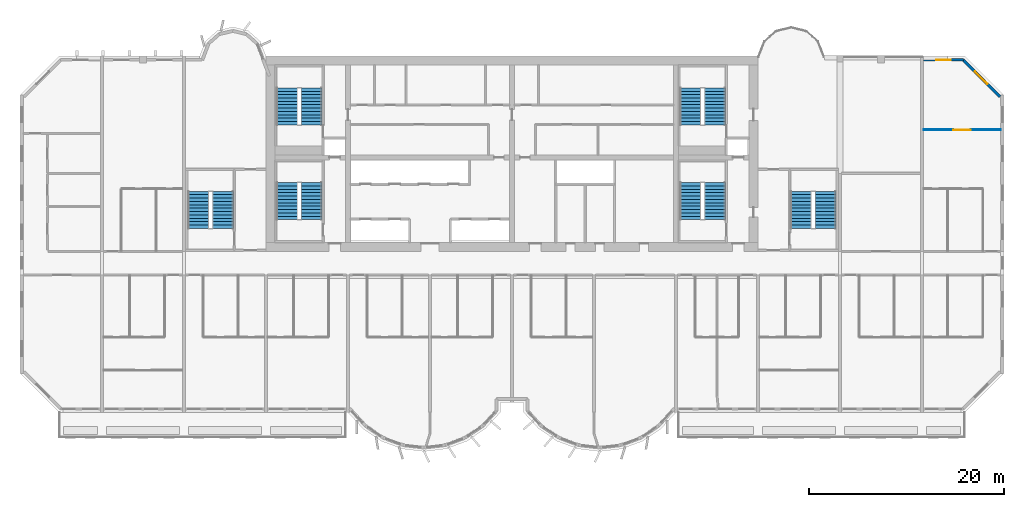
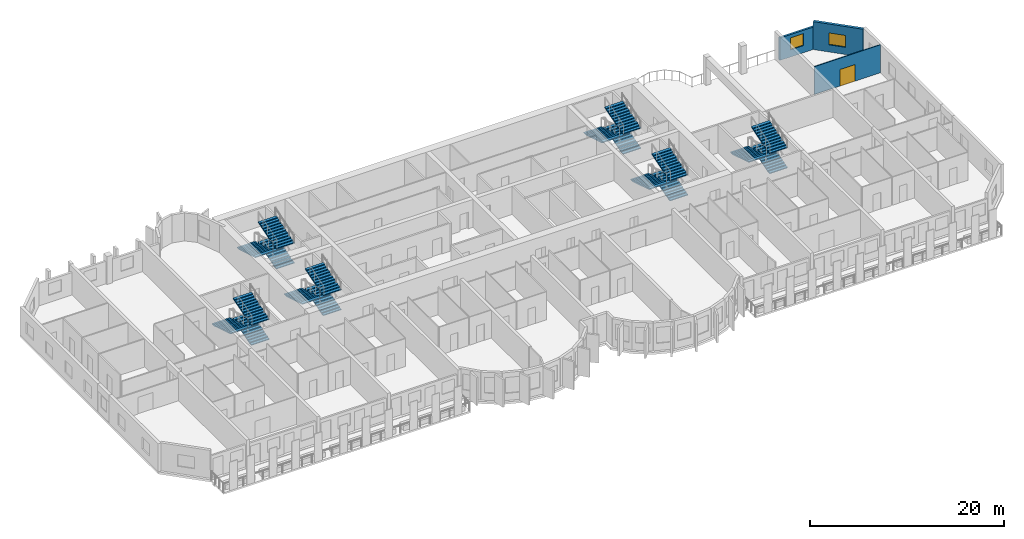
# One storey, part 11 of 14: 18 stair flights, 3 walls, 2 windows, 1 door, 3 openings, 6 elements without a shape of their own.
"""IFC4 building model written with IfcOpenShell, lengths in metres."""

from ifc_helpers import new_model, si_unit, direction, frame, frame_2d, origin, place, context, subcontext, project, spatial, polyline, rectangle, outline, extrude, source, transform, mapped, material, layer, layer_set, type_object, element, fill, aggregate, save


model = new_model("IFC4")

# Units and contexts
model_context = context("Model", 3, precision=1e-05, world=origin(), true_north=direction((0.0, 1.0)))
body_context = subcontext(model_context, "Body", "Model", "MODEL_VIEW")
ifc_project = project(units=[si_unit("LENGTHUNIT", "METRE"), si_unit("AREAUNIT", "SQUARE_METRE"), si_unit("VOLUMEUNIT", "CUBIC_METRE"), si_unit("PLANEANGLEUNIT", "RADIAN"), si_unit("MASSUNIT", "GRAM", prefix="KILO")], contexts=[model_context])

# Site, building, storey
site_placement = place(None, origin())
site = spatial("IfcSite", under=ifc_project, at=site_placement, CompositionType="ELEMENT")
building_placement = place(site_placement, origin())
building = spatial("IfcBuilding", under=site, at=building_placement, Name="Vanashikhar Sky Hotel", CompositionType="ELEMENT")
storey_placement = place(building_placement, frame((0.0, 0.0, 121.800048828125)))
storey = spatial("IfcBuildingStorey", under=building, at=storey_placement, Name="L29", CompositionType="ELEMENT", Elevation=121.800048828125)

# Wall, opening, window
ifc_material_1 = material(Name="Concrete M50", Category="concrete")
ifc_layer_1 = layer(ifc_material_1, 0.300048828125)
ifc_layer_set_1 = layer_set([ifc_layer_1], Name="Lobe wall 300")
wall_type_1 = type_object("IfcWallType", Name="Lobe wall 300", PredefinedType="SOLIDWALL", material=ifc_layer_set_1)
shared_shape_1 = source(origin(), body_context, "Body", "SweptSolid", [
    extrude(rectangle(XDim=5.32568359375, YDim=0.300048828125, at=frame_2d((2.662841796875, 0.0))), origin(), (0.0, 0.0, 1.0), 3.52001953125),
])
wall_1_placement = place(storey_placement, frame((100.39990234375, 37.834228515625, 0.0), z_axis=(0.0, 0.0, 1.0), x_axis=(-0.707083859269, 0.707129702361, 0.0)))
wall_1 = element("IfcWall", 1, at=wall_1_placement, inside=storey, type_object=wall_type_1, Name="Corner wall", PredefinedType="SOLIDWALL", context=body_context, shape_type="MappedRepresentation", body=[
    mapped(shared_shape_1, transform((0.0, 0.0, 0.0), scale=1.0)),
])
shared_shape_2 = source(origin(), body_context, "Body", "SweptSolid", [
    extrude(rectangle(XDim=1.800048828125, YDim=1.5, at=frame_2d((0.89990234375, 0.75))), frame((0.0, 0.16015625, 0.0), z_axis=(0.0, -1.0, 0.0), x_axis=(1.0, 0.0, 0.0)), (0.0, 0.0, 1.0), 0.320068359375),
])
opening_1_placement = place(wall_1_placement, frame((1.853759765625, 0.0, 0.89990234375)))
opening_1 = element("IfcOpeningElement", 2, at=opening_1_placement, cuts=wall_1, Name="Opening WN-4", PredefinedType="OPENING", context=body_context, shape_type="MappedRepresentation", body=[
    mapped(shared_shape_2, transform((0.0, 0.0, 0.0), scale=1.0)),
])
ifc_material_2 = material(Name="Glass", Category="glass")
window_type_1 = type_object("IfcWindowType", Name="Corner window 1800 x 1500", PartitioningType="SINGLE_PANEL", PredefinedType="WINDOW", material=ifc_material_2)
shared_shape_3 = source(origin(), body_context, "Body", "SweptSolid", [
    extrude(rectangle(XDim=1.800048828125, YDim=1.5, at=frame_2d((0.89990234375, 0.75))), frame((0.0, 0.030029296875, 0.0), z_axis=(0.0, -1.0, 0.0), x_axis=(1.0, 0.0, 0.0)), (0.0, 0.0, 1.0), 0.06005859375),
])
window_1_placement = place(opening_1_placement, origin())
window_1 = element("IfcWindow", 3, at=window_1_placement, inside=storey, type_object=window_type_1, Name="Window WN-4", OverallHeight=1.5, OverallWidth=1.800048828125, PartitioningType="SINGLE_PANEL", PredefinedType="WINDOW", context=body_context, shape_type="MappedRepresentation", body=[
    mapped(shared_shape_3, transform((0.0, 0.0, 0.0), scale=1.0)),
])
fill(opening_1, window_1)

ifc_layer_2 = layer(ifc_material_1, 0.25)
ifc_layer_set_2 = layer_set([ifc_layer_2], Name="Rear and end board-marked wall 250")
wall_type_2 = type_object("IfcWallType", Name="Rear and end board-marked wall 250", PredefinedType="SOLIDWALL", material=ifc_layer_set_2)
shared_shape_4 = source(origin(), body_context, "Body", "SweptSolid", [
    extrude(rectangle(XDim=4.06982421875, YDim=0.25, at=frame_2d((2.034912109375, 0.0))), origin(), (0.0, 0.0, 1.0), 2.820068359375),
])
wall_2_placement = place(storey_placement, frame((96.644775390625, 41.625, 0.0), z_axis=(0.0, 0.0, 1.0), x_axis=(-1.0, 0.0, 0.0)))
wall_2 = element("IfcWall", 4, at=wall_2_placement, inside=storey, type_object=wall_type_2, Name="Rear board-marked wall", PredefinedType="SOLIDWALL", context=body_context, shape_type="MappedRepresentation", body=[
    mapped(shared_shape_4, transform((0.0, 0.0, 0.0), scale=1.0)),
])
shared_shape_5 = source(origin(), body_context, "Body", "SweptSolid", [
    extrude(rectangle(XDim=1.5, YDim=1.5, at=frame_2d((0.75, 0.75))), frame((0.0, 0.135009765625, 0.0), z_axis=(0.0, -1.0, 0.0), x_axis=(1.0, 0.0, 0.0)), (0.0, 0.0, 1.0), 0.27001953125),
])
opening_2_placement = place(wall_2_placement, frame((1.284912109375, 0.0, 0.89990234375)))
opening_2 = element("IfcOpeningElement", 5, at=opening_2_placement, cuts=wall_2, Name="Opening WN-1", PredefinedType="OPENING", context=body_context, shape_type="MappedRepresentation", body=[
    mapped(shared_shape_5, transform((0.0, 0.0, 0.0), scale=1.0)),
])
window_type_2 = type_object("IfcWindowType", Name="Window 1500 x 1500", PartitioningType="SINGLE_PANEL", PredefinedType="WINDOW", material=ifc_material_2)
shared_shape_6 = source(origin(), body_context, "Body", "SweptSolid", [
    extrude(rectangle(XDim=1.5, YDim=1.5, at=frame_2d((0.75, 0.75))), frame((0.0, 0.030029296875, 0.0), z_axis=(0.0, -1.0, 0.0), x_axis=(1.0, 0.0, 0.0)), (0.0, 0.0, 1.0), 0.06005859375),
])
window_2_placement = place(opening_2_placement, origin())
window_2 = element("IfcWindow", 6, at=window_2_placement, inside=storey, type_object=window_type_2, Name="Window WN-1", OverallHeight=1.5, OverallWidth=1.5, PartitioningType="SINGLE_PANEL", PredefinedType="WINDOW", context=body_context, shape_type="MappedRepresentation", body=[
    mapped(shared_shape_6, transform((0.0, 0.0, 0.0), scale=1.0)),
])
fill(opening_2, window_2)

# Wall, opening, door
ifc_material_3 = material(Name="Gypsum plasterboard partition")
ifc_layer_3 = layer(ifc_material_3, 0.10009765625)
ifc_layer_set_3 = layer_set([ifc_layer_3], Name="Wet room partition 100")
wall_type_3 = type_object("IfcWallType", Name="Wet room partition 100", PredefinedType="PARTITIONING", material=ifc_layer_set_3)
shared_shape_7 = source(origin(), body_context, "Body", "SweptSolid", [
    extrude(rectangle(XDim=7.875, YDim=0.10009765625, at=frame_2d((3.9375, 0.0))), origin(), (0.0, 0.0, 1.0), 3.52001953125),
])
wall_3_placement = place(storey_placement, frame((92.574951171875, 34.452880859375, 0.0), z_axis=(0.0, 0.0, 1.0), x_axis=(1.0, 0.0, 0.0)))
wall_3 = element("IfcWall", 7, at=wall_3_placement, inside=storey, type_object=wall_type_3, Name="W-L29-PW077", PredefinedType="PARTITIONING", context=body_context, shape_type="MappedRepresentation", body=[
    mapped(shared_shape_7, transform((0.0, 0.0, 0.0), scale=1.0)),
])
shared_shape_8 = source(origin(), body_context, "Body", "SweptSolid", [
    extrude(rectangle(XDim=1.800048828125, YDim=2.10009765625, at=frame_2d((0.89990234375, 1.050048828125))), frame((0.0, 0.06005859375, 0.0), z_axis=(0.0, -1.0, 0.0), x_axis=(1.0, 0.0, 0.0)), (0.0, 0.0, 1.0), 0.1201171875),
])
opening_3_placement = place(wall_3_placement, frame((3.037109375, 0.0, 0.0)))
opening_3 = element("IfcOpeningElement", 8, at=opening_3_placement, cuts=wall_3, Name="Opening D-08", PredefinedType="OPENING", context=body_context, shape_type="MappedRepresentation", body=[
    mapped(shared_shape_8, transform((0.0, 0.0, 0.0), scale=1.0)),
])
ifc_material_4 = material(Name="Timber door", Category="wood")
door_type = type_object("IfcDoorType", Name="Double leaf door 1800", OperationType="NOTDEFINED", PredefinedType="DOOR", material=ifc_material_4)
shared_shape_9 = source(origin(), body_context, "Body", "SweptSolid", [
    extrude(rectangle(XDim=1.800048828125, YDim=2.10009765625, at=frame_2d((0.89990234375, 1.050048828125))), frame((0.0, 0.02490234375, 0.0), z_axis=(0.0, -1.0, 0.0), x_axis=(1.0, 0.0, 0.0)), (0.0, 0.0, 1.0), 0.050048828125),
])
door_placement = place(opening_3_placement, origin())
door = element("IfcDoor", 9, at=door_placement, inside=storey, type_object=door_type, Name="D-L29-046", OperationType="DOUBLE_DOOR_SINGLE_SWING", OverallHeight=2.10009765625, OverallWidth=1.800048828125, PredefinedType="DOOR", context=body_context, shape_type="MappedRepresentation", body=[
    mapped(shared_shape_9, transform((0.0, 0.0, 0.0), scale=1.0)),
])
fill(opening_3, door)

# Stair, stair flights
ifc_material_5 = material(Name="Concrete M40", Category="concrete")
stair_type = type_object("IfcStairType", Name="Exit stair 2150", PredefinedType="DOUBLE_RETURN_STAIR", material=ifc_material_5)
stair_1_placement = place(storey_placement, origin())
stair_1 = element("IfcStair", 10, at=stair_1_placement, inside=storey, type_object=stair_type, Name="L29 Exit stair 1", PredefinedType="DOUBLE_RETURN_STAIR")
stair_flight_type = type_object("IfcStairFlightType", Name="Stair flight 2150", PredefinedType="STRAIGHT", material=ifc_material_5)
shared_shape_10 = source(origin(), body_context, "Body", "SweptSolid", [
    extrude(outline(polyline([(0.0, 0.0), (0.0, 0.10546875), (0.345458984375, 0.10546875), (0.345458984375, 0.211181640625), (0.69091796875, 0.211181640625), (0.69091796875, 0.316650390625), (1.036376953125, 0.316650390625), (1.036376953125, 0.422119140625), (1.3818359375, 0.422119140625), (1.3818359375, 0.52783203125), (1.727294921875, 0.52783203125), (1.727294921875, 0.63330078125), (2.07275390625, 0.63330078125), (2.07275390625, 0.73876953125), (2.418212890625, 0.73876953125), (2.418212890625, 0.844482421875), (2.763671875, 0.844482421875), (2.763671875, 0.949951171875), (3.109130859375, 0.949951171875), (3.109130859375, 1.0556640625), (3.45458984375, 1.0556640625), (3.45458984375, 1.1611328125), (3.800048828125, 1.1611328125), (3.800048828125, 1.2666015625), (3.800048828125, 1.035400390625), (0.4111328125, 0.0), (0.0, 0.0)])), frame((0.0, 1.074951171875, 0.0), z_axis=(0.0, -1.0, 0.0), x_axis=(1.0, 0.0, 0.0)), (0.0, 0.0, 1.0), 2.14990234375),
])
stair_flight_1_placement = place(storey_placement, frame((29.875, 25.25, 0.0), z_axis=(0.0, 0.0, 1.0), x_axis=(0.0, 1.0, 0.0)))
stair_flight_1 = element("IfcStairFlight", 11, at=stair_flight_1_placement, type_object=stair_flight_type, Name="ST-C1 flight 1", NumberOfRisers=12, NumberOfTreads=11, PredefinedType="STRAIGHT", RiserHeight=0.105555556, TreadLength=0.345454545, context=body_context, shape_type="MappedRepresentation", body=[
    mapped(shared_shape_10, transform((0.0, 0.0, 0.0), scale=1.0)),
])
stair_flight_2_placement = place(storey_placement, frame((27.375, 29.050048828125, 1.2666015625), z_axis=(0.0, 0.0, 1.0), x_axis=(0.0, -1.0, 0.0)))
stair_flight_2 = element("IfcStairFlight", 12, at=stair_flight_2_placement, type_object=stair_flight_type, Name="ST-C1 flight 2", NumberOfRisers=12, NumberOfTreads=11, PredefinedType="STRAIGHT", RiserHeight=0.105555556, TreadLength=0.345454545, context=body_context, shape_type="MappedRepresentation", body=[
    mapped(shared_shape_10, transform((0.0, 0.0, 0.0), scale=1.0)),
])
stair_flight_3_placement = place(storey_placement, frame((29.875, 25.25, 2.533203125), z_axis=(0.0, 0.0, 1.0), x_axis=(0.0, 1.0, 0.0)))
stair_flight_3 = element("IfcStairFlight", 13, at=stair_flight_3_placement, type_object=stair_flight_type, Name="ST-C1 flight 3", NumberOfRisers=12, NumberOfTreads=11, PredefinedType="STRAIGHT", RiserHeight=0.105555556, TreadLength=0.345454545, context=body_context, shape_type="MappedRepresentation", body=[
    mapped(shared_shape_10, transform((0.0, 0.0, 0.0), scale=1.0)),
])
aggregate(stair_1, [stair_flight_1, stair_flight_2, stair_flight_3])

stair_2_placement = place(storey_placement, origin())
stair_2 = element("IfcStair", 14, at=stair_2_placement, inside=storey, type_object=stair_type, Name="L29 Exit stair 2", PredefinedType="DOUBLE_RETURN_STAIR")
stair_flight_4_placement = place(storey_placement, frame((71.175048828125, 25.25, 0.0), z_axis=(0.0, 0.0, 1.0), x_axis=(0.0, 1.0, 0.0)))
stair_flight_4 = element("IfcStairFlight", 15, at=stair_flight_4_placement, type_object=stair_flight_type, Name="ST-C2 flight 1", NumberOfRisers=12, NumberOfTreads=11, PredefinedType="STRAIGHT", RiserHeight=0.105555556, TreadLength=0.345454545, context=body_context, shape_type="MappedRepresentation", body=[
    mapped(shared_shape_10, transform((0.0, 0.0, 0.0), scale=1.0)),
])
stair_flight_5_placement = place(storey_placement, frame((68.675048828125, 29.050048828125, 1.2666015625), z_axis=(0.0, 0.0, 1.0), x_axis=(0.0, -1.0, 0.0)))
stair_flight_5 = element("IfcStairFlight", 16, at=stair_flight_5_placement, type_object=stair_flight_type, Name="ST-C2 flight 2", NumberOfRisers=12, NumberOfTreads=11, PredefinedType="STRAIGHT", RiserHeight=0.105555556, TreadLength=0.345454545, context=body_context, shape_type="MappedRepresentation", body=[
    mapped(shared_shape_10, transform((0.0, 0.0, 0.0), scale=1.0)),
])
stair_flight_6_placement = place(storey_placement, frame((71.175048828125, 25.25, 2.533203125), z_axis=(0.0, 0.0, 1.0), x_axis=(0.0, 1.0, 0.0)))
stair_flight_6 = element("IfcStairFlight", 17, at=stair_flight_6_placement, type_object=stair_flight_type, Name="ST-C2 flight 3", NumberOfRisers=12, NumberOfTreads=11, PredefinedType="STRAIGHT", RiserHeight=0.105555556, TreadLength=0.345454545, context=body_context, shape_type="MappedRepresentation", body=[
    mapped(shared_shape_10, transform((0.0, 0.0, 0.0), scale=1.0)),
])
aggregate(stair_2, [stair_flight_4, stair_flight_5, stair_flight_6])

stair_3_placement = place(storey_placement, origin())
stair_3 = element("IfcStair", 18, at=stair_3_placement, inside=storey, type_object=stair_type, Name="L29 Exit stair 3", PredefinedType="DOUBLE_RETURN_STAIR")
stair_flight_7_placement = place(storey_placement, frame((20.77490234375, 24.35009765625, 0.0), z_axis=(0.0, 0.0, 1.0), x_axis=(0.0, 1.0, 0.0)))
stair_flight_7 = element("IfcStairFlight", 19, at=stair_flight_7_placement, type_object=stair_flight_type, Name="ST-W flight 1", NumberOfRisers=12, NumberOfTreads=11, PredefinedType="STRAIGHT", RiserHeight=0.105555556, TreadLength=0.345454545, context=body_context, shape_type="MappedRepresentation", body=[
    mapped(shared_shape_10, transform((0.0, 0.0, 0.0), scale=1.0)),
])
stair_flight_8_placement = place(storey_placement, frame((18.27490234375, 28.14990234375, 1.2666015625), z_axis=(0.0, 0.0, 1.0), x_axis=(0.0, -1.0, 0.0)))
stair_flight_8 = element("IfcStairFlight", 20, at=stair_flight_8_placement, type_object=stair_flight_type, Name="ST-W flight 2", NumberOfRisers=12, NumberOfTreads=11, PredefinedType="STRAIGHT", RiserHeight=0.105555556, TreadLength=0.345454545, context=body_context, shape_type="MappedRepresentation", body=[
    mapped(shared_shape_10, transform((0.0, 0.0, 0.0), scale=1.0)),
])
stair_flight_9_placement = place(storey_placement, frame((20.77490234375, 24.35009765625, 2.533203125), z_axis=(0.0, 0.0, 1.0), x_axis=(0.0, 1.0, 0.0)))
stair_flight_9 = element("IfcStairFlight", 21, at=stair_flight_9_placement, type_object=stair_flight_type, Name="ST-W flight 3", NumberOfRisers=12, NumberOfTreads=11, PredefinedType="STRAIGHT", RiserHeight=0.105555556, TreadLength=0.345454545, context=body_context, shape_type="MappedRepresentation", body=[
    mapped(shared_shape_10, transform((0.0, 0.0, 0.0), scale=1.0)),
])
aggregate(stair_3, [stair_flight_7, stair_flight_8, stair_flight_9])

stair_4_placement = place(storey_placement, origin())
stair_4 = element("IfcStair", 22, at=stair_4_placement, inside=storey, type_object=stair_type, Name="L29 Exit stair 4", PredefinedType="DOUBLE_RETURN_STAIR")
stair_flight_10_placement = place(storey_placement, frame((82.52490234375, 24.35009765625, 0.0), z_axis=(0.0, 0.0, 1.0), x_axis=(0.0, 1.0, 0.0)))
stair_flight_10 = element("IfcStairFlight", 23, at=stair_flight_10_placement, type_object=stair_flight_type, Name="ST-E flight 1", NumberOfRisers=12, NumberOfTreads=11, PredefinedType="STRAIGHT", RiserHeight=0.105555556, TreadLength=0.345454545, context=body_context, shape_type="MappedRepresentation", body=[
    mapped(shared_shape_10, transform((0.0, 0.0, 0.0), scale=1.0)),
])
stair_flight_11_placement = place(storey_placement, frame((80.02490234375, 28.14990234375, 1.2666015625), z_axis=(0.0, 0.0, 1.0), x_axis=(0.0, -1.0, 0.0)))
stair_flight_11 = element("IfcStairFlight", 24, at=stair_flight_11_placement, type_object=stair_flight_type, Name="ST-E flight 2", NumberOfRisers=12, NumberOfTreads=11, PredefinedType="STRAIGHT", RiserHeight=0.105555556, TreadLength=0.345454545, context=body_context, shape_type="MappedRepresentation", body=[
    mapped(shared_shape_10, transform((0.0, 0.0, 0.0), scale=1.0)),
])
stair_flight_12_placement = place(storey_placement, frame((82.52490234375, 24.35009765625, 2.533203125), z_axis=(0.0, 0.0, 1.0), x_axis=(0.0, 1.0, 0.0)))
stair_flight_12 = element("IfcStairFlight", 25, at=stair_flight_12_placement, type_object=stair_flight_type, Name="ST-E flight 3", NumberOfRisers=12, NumberOfTreads=11, PredefinedType="STRAIGHT", RiserHeight=0.105555556, TreadLength=0.345454545, context=body_context, shape_type="MappedRepresentation", body=[
    mapped(shared_shape_10, transform((0.0, 0.0, 0.0), scale=1.0)),
])
aggregate(stair_4, [stair_flight_10, stair_flight_11, stair_flight_12])

stair_5_placement = place(storey_placement, origin())
stair_5 = element("IfcStair", 26, at=stair_5_placement, inside=storey, type_object=stair_type, Name="L29 Exit stair 5", PredefinedType="DOUBLE_RETURN_STAIR")
stair_flight_13_placement = place(storey_placement, frame((29.875, 34.949951171875, 0.0), z_axis=(0.0, 0.0, 1.0), x_axis=(0.0, 1.0, 0.0)))
stair_flight_13 = element("IfcStairFlight", 27, at=stair_flight_13_placement, type_object=stair_flight_type, Name="ST-C3 flight 1", NumberOfRisers=12, NumberOfTreads=11, PredefinedType="STRAIGHT", RiserHeight=0.105555556, TreadLength=0.345454545, context=body_context, shape_type="MappedRepresentation", body=[
    mapped(shared_shape_10, transform((0.0, 0.0, 0.0), scale=1.0)),
])
stair_flight_14_placement = place(storey_placement, frame((27.375, 38.75, 1.2666015625), z_axis=(0.0, 0.0, 1.0), x_axis=(0.0, -1.0, 0.0)))
stair_flight_14 = element("IfcStairFlight", 28, at=stair_flight_14_placement, type_object=stair_flight_type, Name="ST-C3 flight 2", NumberOfRisers=12, NumberOfTreads=11, PredefinedType="STRAIGHT", RiserHeight=0.105555556, TreadLength=0.345454545, context=body_context, shape_type="MappedRepresentation", body=[
    mapped(shared_shape_10, transform((0.0, 0.0, 0.0), scale=1.0)),
])
stair_flight_15_placement = place(storey_placement, frame((29.875, 34.949951171875, 2.533203125), z_axis=(0.0, 0.0, 1.0), x_axis=(0.0, 1.0, 0.0)))
stair_flight_15 = element("IfcStairFlight", 29, at=stair_flight_15_placement, type_object=stair_flight_type, Name="ST-C3 flight 3", NumberOfRisers=12, NumberOfTreads=11, PredefinedType="STRAIGHT", RiserHeight=0.105555556, TreadLength=0.345454545, context=body_context, shape_type="MappedRepresentation", body=[
    mapped(shared_shape_10, transform((0.0, 0.0, 0.0), scale=1.0)),
])
aggregate(stair_5, [stair_flight_13, stair_flight_14, stair_flight_15])

stair_6_placement = place(storey_placement, origin())
stair_6 = element("IfcStair", 30, at=stair_6_placement, inside=storey, type_object=stair_type, Name="L29 Exit stair 6", PredefinedType="DOUBLE_RETURN_STAIR")
stair_flight_16_placement = place(storey_placement, frame((71.175048828125, 34.949951171875, 0.0), z_axis=(0.0, 0.0, 1.0), x_axis=(0.0, 1.0, 0.0)))
stair_flight_16 = element("IfcStairFlight", 31, at=stair_flight_16_placement, type_object=stair_flight_type, Name="ST-C4 flight 1", NumberOfRisers=12, NumberOfTreads=11, PredefinedType="STRAIGHT", RiserHeight=0.105555556, TreadLength=0.345454545, context=body_context, shape_type="MappedRepresentation", body=[
    mapped(shared_shape_10, transform((0.0, 0.0, 0.0), scale=1.0)),
])
stair_flight_17_placement = place(storey_placement, frame((68.675048828125, 38.75, 1.2666015625), z_axis=(0.0, 0.0, 1.0), x_axis=(0.0, -1.0, 0.0)))
stair_flight_17 = element("IfcStairFlight", 32, at=stair_flight_17_placement, type_object=stair_flight_type, Name="ST-C4 flight 2", NumberOfRisers=12, NumberOfTreads=11, PredefinedType="STRAIGHT", RiserHeight=0.105555556, TreadLength=0.345454545, context=body_context, shape_type="MappedRepresentation", body=[
    mapped(shared_shape_10, transform((0.0, 0.0, 0.0), scale=1.0)),
])
stair_flight_18_placement = place(storey_placement, frame((71.175048828125, 34.949951171875, 2.533203125), z_axis=(0.0, 0.0, 1.0), x_axis=(0.0, 1.0, 0.0)))
stair_flight_18 = element("IfcStairFlight", 33, at=stair_flight_18_placement, type_object=stair_flight_type, Name="ST-C4 flight 3", NumberOfRisers=12, NumberOfTreads=11, PredefinedType="STRAIGHT", RiserHeight=0.105555556, TreadLength=0.345454545, context=body_context, shape_type="MappedRepresentation", body=[
    mapped(shared_shape_10, transform((0.0, 0.0, 0.0), scale=1.0)),
])
aggregate(stair_6, [stair_flight_16, stair_flight_17, stair_flight_18])

save(model, "model.ifc")
